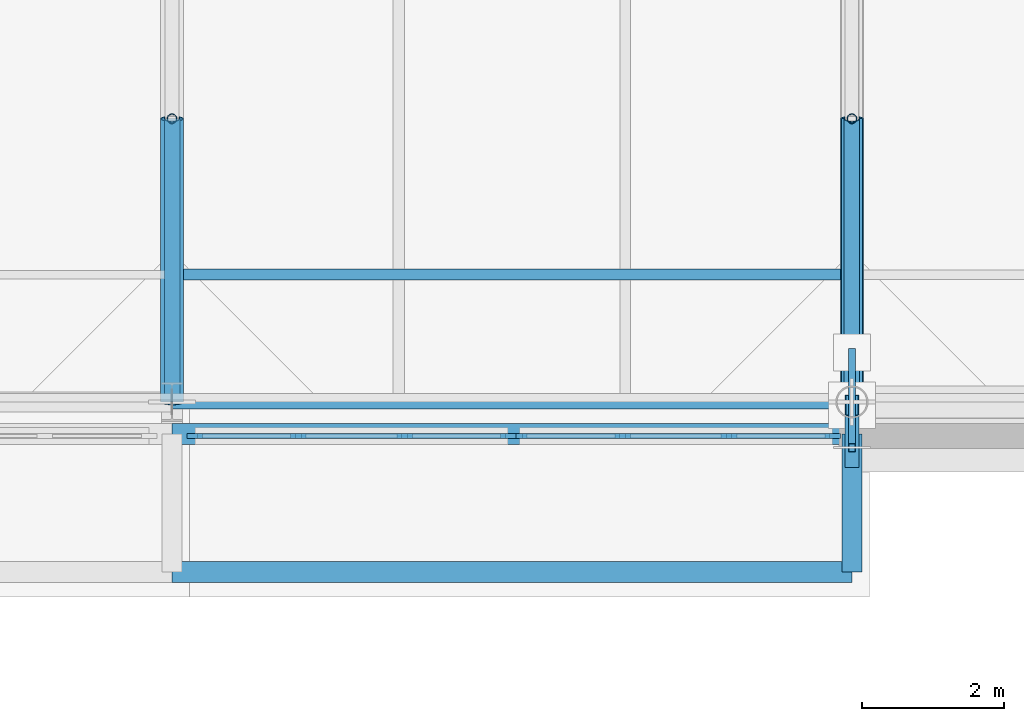
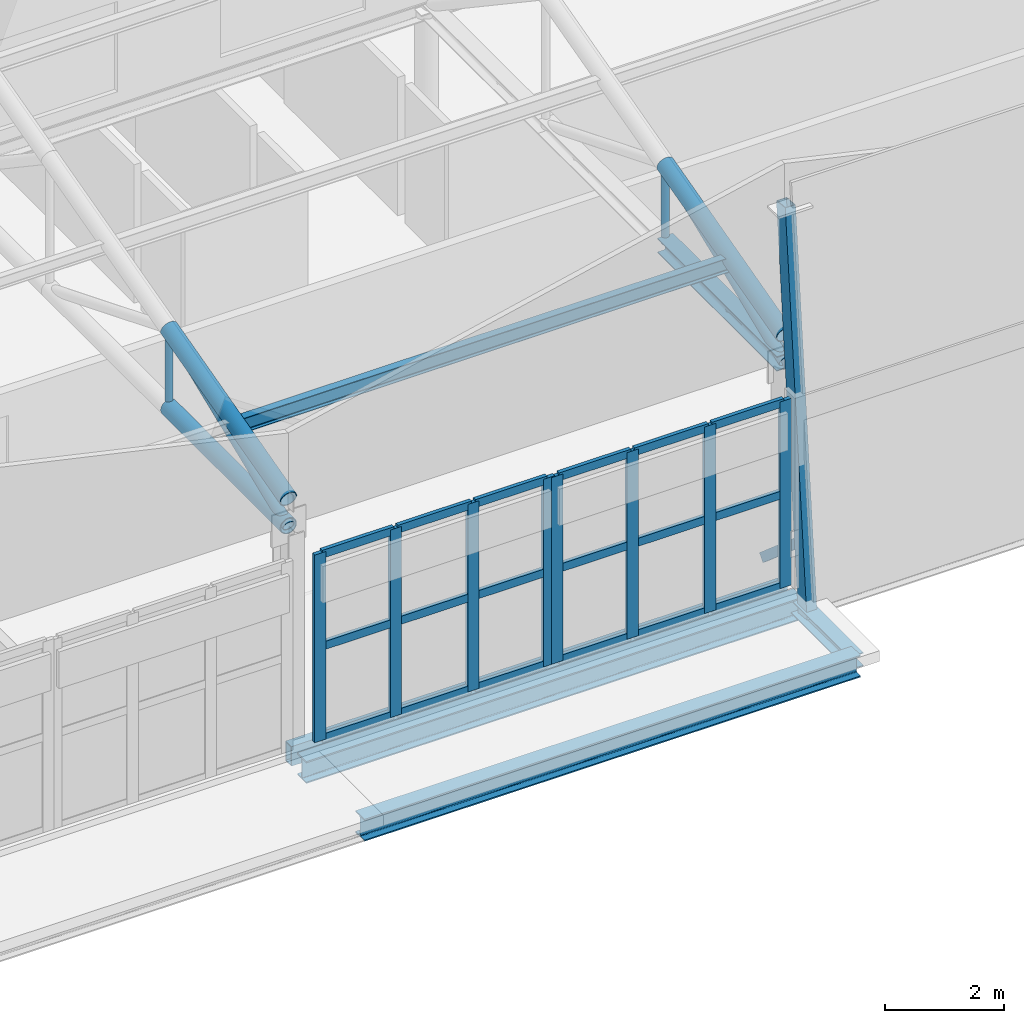
# One storey, part 22 of 89: 37 members, 4 beams, 2 elements without a shape of their own.
"""IFC4 building model written with IfcOpenShell, lengths in metres."""

from ifc_helpers import new_model, si_unit, direction, frame, origin, origin_2d, place, context, subcontext, project, spatial, rectangle, hollow_rectangle, hollow_circle, i_section, extrude, material, layer, layer_set, material_profile, profile_set, type_object, element, aggregate, save


model = new_model("IFC4")

# Units and contexts
model_context = context("Model", 3, precision=1e-05, world=origin(), true_north=direction((0.0, 1.0)))
body_context = subcontext(model_context, "Body", "Model", "MODEL_VIEW")
ifc_project = project(units=[si_unit("LENGTHUNIT", "METRE"), si_unit("AREAUNIT", "SQUARE_METRE"), si_unit("VOLUMEUNIT", "CUBIC_METRE"), si_unit("PLANEANGLEUNIT", "RADIAN"), si_unit("MASSUNIT", "GRAM", prefix="KILO")], contexts=[model_context])

# Site, building, storey
site_placement = place(None, origin())
site = spatial("IfcSite", under=ifc_project, at=site_placement, CompositionType="ELEMENT")
building_placement = place(site_placement, origin())
building = spatial("IfcBuilding", under=site, at=building_placement, Name="Zereglee Splitstone Museum", CompositionType="ELEMENT")
storey_placement = place(building_placement, frame((0.0, 0.0, 21.300048828125)))
storey = spatial("IfcBuildingStorey", under=building, at=storey_placement, Name="L04", CompositionType="ELEMENT", Elevation=21.300048828125)

# Members
ifc_material_1 = material(Name="Steel S355J2H", Category="steel")
ifc_material_profile_1 = material_profile(ifc_material_1, hollow_circle(Radius=0.109619140625, WallThickness=0.010009765625, at=origin_2d()), Name="CHS 219.1x10")
ifc_profile_set_1 = profile_set([ifc_material_profile_1], Name="Steel S355J2H")
member_type_1 = type_object("IfcMemberType", Name="TB-03", PredefinedType="BRACE", material=ifc_profile_set_1)
for number, where, z_axis, x_axis, name in (
    (1, (116.39990234375, 9.60009765625, 4.199951171875), (0.0, 0.927136001435, 0.374725012299), (-1.0, 0.0, 0.0), "Roof Truss ST-05 Diagonal 1.1"),
    (2, (126.0, 9.60009765625, 4.199951171875), (0.0, 0.927136001435, 0.374725012299), (-1.0, 0.0, 0.0), "Roof Truss ST-06 Diagonal 1.1"),
):
    element("IfcMember", number, at=place(storey_placement, frame(where, z_axis=z_axis, x_axis=x_axis)), inside=storey, type_object=member_type_1, Name=name, PredefinedType="BRACE", context=body_context, shape_type="SweptSolid", body=[
        extrude(hollow_circle(Radius=0.109619140625, WallThickness=0.010009765625, at=origin_2d()), origin(), (0.0, 0.0, 1.0), 4.314453125),
    ])

# Curtain wall, members
ifc_material_2 = material(Name="Triple-glazed low-E argon glass and bronze-anodised aluminium", Category="aluminium")
ifc_layer_1 = layer(ifc_material_2, 0.219970703125)
ifc_layer_set_1 = layer_set([ifc_layer_1], Name="Triple-glazed low-E argon glass and bronze-anodised aluminium")
curtain_wall_type_1 = type_object("IfcCurtainWallType", Name="CW-0450-384", PredefinedType="USERDEFINED", material=ifc_layer_set_1)
curtain_wall_1_placement = place(storey_placement, origin())
curtain_wall_1 = element("IfcCurtainWall", 3, at=curtain_wall_1_placement, inside=storey, type_object=curtain_wall_type_1, Name="Glazed Curtain Wall CW-0450-384 (L04)", ObjectType="GLAZED CURTAIN WALL", PredefinedType="USERDEFINED")
ifc_material_3 = material(Name="Thermally broken bronze-anodised aluminium", Category="aluminium")
ifc_material_profile_2 = material_profile(ifc_material_3, rectangle(XDim=0.074951171875, YDim=0.219970703125, at=origin_2d()), Name="CW MULL 75x220")
ifc_profile_set_2 = profile_set([ifc_material_profile_2], Name="Thermally broken bronze-anodised aluminium")
member_type_2 = type_object("IfcMemberType", Name="CWM-02", PredefinedType="MULLION", material=ifc_profile_set_2)
member_1_placement = place(storey_placement, frame((116.720458984375, 9.1201171875, 0.0), z_axis=(0.0, 0.0, 1.0), x_axis=(0.0, 1.0, 0.0)))
member_1 = element("IfcMember", 4, at=member_1_placement, type_object=member_type_2, Name="CW-0450-384 mullion 1", PredefinedType="MULLION", context=body_context, shape_type="SweptSolid", body=[
    extrude(rectangle(XDim=0.074951171875, YDim=0.219970703125, at=origin_2d()), origin(), (0.0, 0.0, 1.0), 3.83984375),
])
member_2_placement = place(storey_placement, frame((118.18310546875, 9.1201171875, 0.0), z_axis=(0.0, 0.0, 1.0), x_axis=(0.0, 1.0, 0.0)))
member_2 = element("IfcMember", 5, at=member_2_placement, type_object=member_type_2, Name="CW-0450-384 mullion 2", PredefinedType="MULLION", context=body_context, shape_type="SweptSolid", body=[
    extrude(rectangle(XDim=0.074951171875, YDim=0.219970703125, at=origin_2d()), origin(), (0.0, 0.0, 1.0), 3.83984375),
])
member_3_placement = place(storey_placement, frame((119.68310546875, 9.1201171875, 0.0), z_axis=(0.0, 0.0, 1.0), x_axis=(0.0, 1.0, 0.0)))
member_3 = element("IfcMember", 6, at=member_3_placement, type_object=member_type_2, Name="CW-0450-384 mullion 3", PredefinedType="MULLION", context=body_context, shape_type="SweptSolid", body=[
    extrude(rectangle(XDim=0.074951171875, YDim=0.219970703125, at=origin_2d()), origin(), (0.0, 0.0, 1.0), 3.83984375),
])
member_4_placement = place(storey_placement, frame((121.145751953125, 9.1201171875, 0.0), z_axis=(0.0, 0.0, 1.0), x_axis=(0.0, 1.0, 0.0)))
member_4 = element("IfcMember", 7, at=member_4_placement, type_object=member_type_2, Name="CW-0450-384 mullion 4", PredefinedType="MULLION", context=body_context, shape_type="SweptSolid", body=[
    extrude(rectangle(XDim=0.074951171875, YDim=0.219970703125, at=origin_2d()), origin(), (0.0, 0.0, 1.0), 3.83984375),
])

ifc_layer_2 = layer(ifc_material_2, 0.219970703125)
ifc_layer_set_2 = layer_set([ifc_layer_2], Name="Triple-glazed low-E argon glass and bronze-anodised aluminium")
curtain_wall_type_2 = type_object("IfcCurtainWallType", Name="CW-0450-382", PredefinedType="USERDEFINED", material=ifc_layer_set_2)
curtain_wall_2_placement = place(storey_placement, origin())
curtain_wall_2 = element("IfcCurtainWall", 8, at=curtain_wall_2_placement, inside=storey, type_object=curtain_wall_type_2, Name="Glazed Curtain Wall CW-0450-382 (L04)", ObjectType="GLAZED CURTAIN WALL", PredefinedType="USERDEFINED")
member_5_placement = place(storey_placement, frame((121.30078125, 9.1201171875, 0.0), z_axis=(0.0, 0.0, 1.0), x_axis=(0.0, 1.0, 0.0)))
member_5 = element("IfcMember", 9, at=member_5_placement, type_object=member_type_2, Name="CW-0450-382 mullion 1", PredefinedType="MULLION", context=body_context, shape_type="SweptSolid", body=[
    extrude(rectangle(XDim=0.074951171875, YDim=0.219970703125, at=origin_2d()), origin(), (0.0, 0.0, 1.0), 3.820068359375),
])
member_6_placement = place(storey_placement, frame((122.76318359375, 9.1201171875, 0.0), z_axis=(0.0, 0.0, 1.0), x_axis=(0.0, 1.0, 0.0)))
member_6 = element("IfcMember", 10, at=member_6_placement, type_object=member_type_2, Name="CW-0450-382 mullion 2", PredefinedType="MULLION", context=body_context, shape_type="SweptSolid", body=[
    extrude(rectangle(XDim=0.074951171875, YDim=0.219970703125, at=origin_2d()), origin(), (0.0, 0.0, 1.0), 3.820068359375),
])
member_7_placement = place(storey_placement, frame((124.263427734375, 9.1201171875, 0.0), z_axis=(0.0, 0.0, 1.0), x_axis=(0.0, 1.0, 0.0)))
member_7 = element("IfcMember", 11, at=member_7_placement, type_object=member_type_2, Name="CW-0450-382 mullion 3", PredefinedType="MULLION", context=body_context, shape_type="SweptSolid", body=[
    extrude(rectangle(XDim=0.074951171875, YDim=0.219970703125, at=origin_2d()), origin(), (0.0, 0.0, 1.0), 3.820068359375),
])
member_8_placement = place(storey_placement, frame((125.72607421875, 9.1201171875, 0.0), z_axis=(0.0, 0.0, 1.0), x_axis=(0.0, 1.0, 0.0)))
member_8 = element("IfcMember", 12, at=member_8_placement, type_object=member_type_2, Name="CW-0450-382 mullion 4", PredefinedType="MULLION", context=body_context, shape_type="SweptSolid", body=[
    extrude(rectangle(XDim=0.074951171875, YDim=0.219970703125, at=origin_2d()), origin(), (0.0, 0.0, 1.0), 3.820068359375),
])

# Member
ifc_material_profile_3 = material_profile(ifc_material_3, rectangle(XDim=0.074951171875, YDim=0.1650390625, at=origin_2d()), Name="CW TRAN 75x165")
ifc_profile_set_3 = profile_set([ifc_material_profile_3], Name="Thermally broken bronze-anodised aluminium")
member_type_3 = type_object("IfcMemberType", Name="CWT-02", PredefinedType="USERDEFINED", material=ifc_profile_set_3)
member_9_placement = place(storey_placement, frame((116.758056640625, 9.1201171875, 0.037353515625), z_axis=(1.0, 0.0, 0.0), x_axis=(0.0, 1.0, 0.0)))
member_9 = element("IfcMember", 13, at=member_9_placement, type_object=member_type_3, Name="CW-0450-384 transom 1.1", ObjectType="TRANSOM", PredefinedType="USERDEFINED", context=body_context, shape_type="SweptSolid", body=[
    extrude(rectangle(XDim=0.074951171875, YDim=0.1650390625, at=origin_2d()), origin(), (0.0, 0.0, 1.0), 1.387451171875),
])

member_10_placement = place(storey_placement, frame((116.758056640625, 9.1201171875, 1.919921875), z_axis=(1.0, 0.0, 0.0), x_axis=(0.0, 1.0, 0.0)))
member_10 = element("IfcMember", 14, at=member_10_placement, type_object=member_type_3, Name="CW-0450-384 transom 1.2", ObjectType="TRANSOM", PredefinedType="USERDEFINED", context=body_context, shape_type="SweptSolid", body=[
    extrude(rectangle(XDim=0.074951171875, YDim=0.1650390625, at=origin_2d()), origin(), (0.0, 0.0, 1.0), 1.387451171875),
])

member_11_placement = place(storey_placement, frame((116.758056640625, 9.1201171875, 3.802490234375), z_axis=(1.0, 0.0, 0.0), x_axis=(0.0, 1.0, 0.0)))
member_11 = element("IfcMember", 15, at=member_11_placement, type_object=member_type_3, Name="CW-0450-384 transom 1.3", ObjectType="TRANSOM", PredefinedType="USERDEFINED", context=body_context, shape_type="SweptSolid", body=[
    extrude(rectangle(XDim=0.074951171875, YDim=0.1650390625, at=origin_2d()), origin(), (0.0, 0.0, 1.0), 1.387451171875),
])

member_12_placement = place(storey_placement, frame((118.220703125, 9.1201171875, 0.037353515625), z_axis=(1.0, 0.0, 0.0), x_axis=(0.0, 1.0, 0.0)))
member_12 = element("IfcMember", 16, at=member_12_placement, type_object=member_type_3, Name="CW-0450-384 transom 2.1", ObjectType="TRANSOM", PredefinedType="USERDEFINED", context=body_context, shape_type="SweptSolid", body=[
    extrude(rectangle(XDim=0.074951171875, YDim=0.1650390625, at=origin_2d()), origin(), (0.0, 0.0, 1.0), 1.425048828125),
])

member_13_placement = place(storey_placement, frame((118.220703125, 9.1201171875, 1.919921875), z_axis=(1.0, 0.0, 0.0), x_axis=(0.0, 1.0, 0.0)))
member_13 = element("IfcMember", 17, at=member_13_placement, type_object=member_type_3, Name="CW-0450-384 transom 2.2", ObjectType="TRANSOM", PredefinedType="USERDEFINED", context=body_context, shape_type="SweptSolid", body=[
    extrude(rectangle(XDim=0.074951171875, YDim=0.1650390625, at=origin_2d()), origin(), (0.0, 0.0, 1.0), 1.425048828125),
])

member_14_placement = place(storey_placement, frame((118.220703125, 9.1201171875, 3.802490234375), z_axis=(1.0, 0.0, 0.0), x_axis=(0.0, 1.0, 0.0)))
member_14 = element("IfcMember", 18, at=member_14_placement, type_object=member_type_3, Name="CW-0450-384 transom 2.3", ObjectType="TRANSOM", PredefinedType="USERDEFINED", context=body_context, shape_type="SweptSolid", body=[
    extrude(rectangle(XDim=0.074951171875, YDim=0.1650390625, at=origin_2d()), origin(), (0.0, 0.0, 1.0), 1.425048828125),
])

member_15_placement = place(storey_placement, frame((119.720703125, 9.1201171875, 0.037353515625), z_axis=(1.0, 0.0, 0.0), x_axis=(0.0, 1.0, 0.0)))
member_15 = element("IfcMember", 19, at=member_15_placement, type_object=member_type_3, Name="CW-0450-384 transom 3.1", ObjectType="TRANSOM", PredefinedType="USERDEFINED", context=body_context, shape_type="SweptSolid", body=[
    extrude(rectangle(XDim=0.074951171875, YDim=0.1650390625, at=origin_2d()), origin(), (0.0, 0.0, 1.0), 1.3876953125),
])

member_16_placement = place(storey_placement, frame((119.720703125, 9.1201171875, 1.919921875), z_axis=(1.0, 0.0, 0.0), x_axis=(0.0, 1.0, 0.0)))
member_16 = element("IfcMember", 20, at=member_16_placement, type_object=member_type_3, Name="CW-0450-384 transom 3.2", ObjectType="TRANSOM", PredefinedType="USERDEFINED", context=body_context, shape_type="SweptSolid", body=[
    extrude(rectangle(XDim=0.074951171875, YDim=0.1650390625, at=origin_2d()), origin(), (0.0, 0.0, 1.0), 1.3876953125),
])

member_17_placement = place(storey_placement, frame((119.720703125, 9.1201171875, 3.802490234375), z_axis=(1.0, 0.0, 0.0), x_axis=(0.0, 1.0, 0.0)))
member_17 = element("IfcMember", 21, at=member_17_placement, type_object=member_type_3, Name="CW-0450-384 transom 3.3", ObjectType="TRANSOM", PredefinedType="USERDEFINED", context=body_context, shape_type="SweptSolid", body=[
    extrude(rectangle(XDim=0.074951171875, YDim=0.1650390625, at=origin_2d()), origin(), (0.0, 0.0, 1.0), 1.3876953125),
])

aggregate(curtain_wall_1, [member_1, member_2, member_3, member_4, member_9, member_10, member_11, member_12, member_13, member_14, member_15, member_16, member_17])

member_18_placement = place(storey_placement, frame((121.338134765625, 9.1201171875, 0.037353515625), z_axis=(1.0, 0.0, 0.0), x_axis=(0.0, 1.0, 0.0)))
member_18 = element("IfcMember", 22, at=member_18_placement, type_object=member_type_3, Name="CW-0450-382 transom 1.1", ObjectType="TRANSOM", PredefinedType="USERDEFINED", context=body_context, shape_type="SweptSolid", body=[
    extrude(rectangle(XDim=0.074951171875, YDim=0.1650390625, at=origin_2d()), origin(), (0.0, 0.0, 1.0), 1.3876953125),
])

member_19_placement = place(storey_placement, frame((121.338134765625, 9.1201171875, 1.909912109375), z_axis=(1.0, 0.0, 0.0), x_axis=(0.0, 1.0, 0.0)))
member_19 = element("IfcMember", 23, at=member_19_placement, type_object=member_type_3, Name="CW-0450-382 transom 1.2", ObjectType="TRANSOM", PredefinedType="USERDEFINED", context=body_context, shape_type="SweptSolid", body=[
    extrude(rectangle(XDim=0.074951171875, YDim=0.1650390625, at=origin_2d()), origin(), (0.0, 0.0, 1.0), 1.3876953125),
])

member_20_placement = place(storey_placement, frame((121.338134765625, 9.1201171875, 3.782470703125), z_axis=(1.0, 0.0, 0.0), x_axis=(0.0, 1.0, 0.0)))
member_20 = element("IfcMember", 24, at=member_20_placement, type_object=member_type_3, Name="CW-0450-382 transom 1.3", ObjectType="TRANSOM", PredefinedType="USERDEFINED", context=body_context, shape_type="SweptSolid", body=[
    extrude(rectangle(XDim=0.074951171875, YDim=0.1650390625, at=origin_2d()), origin(), (0.0, 0.0, 1.0), 1.3876953125),
])

member_21_placement = place(storey_placement, frame((122.80078125, 9.1201171875, 0.037353515625), z_axis=(1.0, 0.0, 0.0), x_axis=(0.0, 1.0, 0.0)))
member_21 = element("IfcMember", 25, at=member_21_placement, type_object=member_type_3, Name="CW-0450-382 transom 2.1", ObjectType="TRANSOM", PredefinedType="USERDEFINED", context=body_context, shape_type="SweptSolid", body=[
    extrude(rectangle(XDim=0.074951171875, YDim=0.1650390625, at=origin_2d()), origin(), (0.0, 0.0, 1.0), 1.425048828125),
])

member_22_placement = place(storey_placement, frame((122.80078125, 9.1201171875, 1.909912109375), z_axis=(1.0, 0.0, 0.0), x_axis=(0.0, 1.0, 0.0)))
member_22 = element("IfcMember", 26, at=member_22_placement, type_object=member_type_3, Name="CW-0450-382 transom 2.2", ObjectType="TRANSOM", PredefinedType="USERDEFINED", context=body_context, shape_type="SweptSolid", body=[
    extrude(rectangle(XDim=0.074951171875, YDim=0.1650390625, at=origin_2d()), origin(), (0.0, 0.0, 1.0), 1.425048828125),
])

member_23_placement = place(storey_placement, frame((122.80078125, 9.1201171875, 3.782470703125), z_axis=(1.0, 0.0, 0.0), x_axis=(0.0, 1.0, 0.0)))
member_23 = element("IfcMember", 27, at=member_23_placement, type_object=member_type_3, Name="CW-0450-382 transom 2.3", ObjectType="TRANSOM", PredefinedType="USERDEFINED", context=body_context, shape_type="SweptSolid", body=[
    extrude(rectangle(XDim=0.074951171875, YDim=0.1650390625, at=origin_2d()), origin(), (0.0, 0.0, 1.0), 1.425048828125),
])

member_24_placement = place(storey_placement, frame((124.30078125, 9.1201171875, 0.037353515625), z_axis=(1.0, 0.0, 0.0), x_axis=(0.0, 1.0, 0.0)))
member_24 = element("IfcMember", 28, at=member_24_placement, type_object=member_type_3, Name="CW-0450-382 transom 3.1", ObjectType="TRANSOM", PredefinedType="USERDEFINED", context=body_context, shape_type="SweptSolid", body=[
    extrude(rectangle(XDim=0.074951171875, YDim=0.1650390625, at=origin_2d()), origin(), (0.0, 0.0, 1.0), 1.3876953125),
])

member_25_placement = place(storey_placement, frame((124.30078125, 9.1201171875, 1.909912109375), z_axis=(1.0, 0.0, 0.0), x_axis=(0.0, 1.0, 0.0)))
member_25 = element("IfcMember", 29, at=member_25_placement, type_object=member_type_3, Name="CW-0450-382 transom 3.2", ObjectType="TRANSOM", PredefinedType="USERDEFINED", context=body_context, shape_type="SweptSolid", body=[
    extrude(rectangle(XDim=0.074951171875, YDim=0.1650390625, at=origin_2d()), origin(), (0.0, 0.0, 1.0), 1.3876953125),
])

member_26_placement = place(storey_placement, frame((124.30078125, 9.1201171875, 3.782470703125), z_axis=(1.0, 0.0, 0.0), x_axis=(0.0, 1.0, 0.0)))
member_26 = element("IfcMember", 30, at=member_26_placement, type_object=member_type_3, Name="CW-0450-382 transom 3.3", ObjectType="TRANSOM", PredefinedType="USERDEFINED", context=body_context, shape_type="SweptSolid", body=[
    extrude(rectangle(XDim=0.074951171875, YDim=0.1650390625, at=origin_2d()), origin(), (0.0, 0.0, 1.0), 1.3876953125),
])

aggregate(curtain_wall_2, [member_5, member_6, member_7, member_8, member_18, member_19, member_20, member_21, member_22, member_23, member_24, member_25, member_26])

# Members
ifc_material_profile_4 = material_profile(ifc_material_1, hollow_circle(Radius=0.161865234375, WallThickness=0.01611328125, at=origin_2d()), Name="CHS 323.9x16")
ifc_profile_set_4 = profile_set([ifc_material_profile_4], Name="Steel S355J2H")
member_type_4 = type_object("IfcMemberType", Name="TC-05", PredefinedType="CHORD", material=ifc_profile_set_4)
member_27_placement = place(storey_placement, frame((116.39990234375, 9.60009765625, 4.199951171875), z_axis=(0.0, 1.0, 0.0), x_axis=(-1.0, 0.0, 0.0)))
element("IfcMember", 31, at=member_27_placement, inside=storey, type_object=member_type_4, Name="Roof Truss ST-05 Bottom Chord 1.1", PredefinedType="CHORD", context=body_context, shape_type="SweptSolid", body=[
    extrude(hollow_circle(Radius=0.161865234375, WallThickness=0.01611328125, at=origin_2d()), origin(), (0.0, 0.0, 1.0), 4.0),
])
for number, where, z_axis, x_axis, name in (
    (32, (116.39990234375, 9.60009765625, 4.75), (0.0, 0.966235918422, 0.257658979955), (-1.0, 0.0, 0.0), "Roof Truss ST-05 Top Chord 1.1"),
    (33, (126.0, 9.60009765625, 4.75), (0.0, 0.966235918422, 0.257658979955), (-1.0, 0.0, 0.0), "Roof Truss ST-06 Top Chord 1.1"),
):
    element("IfcMember", number, at=place(storey_placement, frame(where, z_axis=z_axis, x_axis=x_axis)), inside=storey, type_object=member_type_4, Name=name, PredefinedType="CHORD", context=body_context, shape_type="SweptSolid", body=[
        extrude(hollow_circle(Radius=0.161865234375, WallThickness=0.01611328125, at=origin_2d()), origin(), (0.0, 0.0, 1.0), 4.139892578125),
    ])
ifc_material_4 = material(Name="Steel S355J2", Category="steel")
ifc_material_profile_5 = material_profile(ifc_material_4, i_section(OverallWidth=0.300048828125, OverallDepth=0.300048828125, WebThickness=0.010986328125, FlangeThickness=0.01904296875, FilletRadius=0.027099609375, at=origin_2d()), Name="HE 300 B")
ifc_profile_set_5 = profile_set([ifc_material_profile_5], Name="Steel S355J2")
member_type_5 = type_object("IfcMemberType", Name="TC-07", PredefinedType="CHORD", material=ifc_profile_set_5)
member_28_placement = place(storey_placement, frame((126.0, 9.60009765625, 4.199951171875), z_axis=(0.0, 1.0, 0.0), x_axis=(-1.0, 0.0, 0.0)))
element("IfcMember", 34, at=member_28_placement, inside=storey, type_object=member_type_5, Name="Roof Truss ST-06 Bottom Chord 1.1", PredefinedType="CHORD", context=body_context, shape_type="SweptSolid", body=[
    extrude(i_section(OverallWidth=0.300048828125, OverallDepth=0.300048828125, WebThickness=0.010986328125, FlangeThickness=0.01904296875, FilletRadius=0.027099609375, at=origin_2d()), origin(), (0.0, 0.0, 1.0), 4.0),
])
ifc_material_profile_6 = material_profile(ifc_material_1, hollow_circle(Radius=0.06982421875, WallThickness=0.008056640625, at=origin_2d()), Name="CHS 139.7x8")
ifc_profile_set_6 = profile_set([ifc_material_profile_6], Name="Steel S355J2H")
member_type_6 = type_object("IfcMemberType", Name="TP-03", PredefinedType="POST", material=ifc_profile_set_6)
for number, where, z_axis, x_axis, name in (
    (35, (116.39990234375, 13.60009765625, 4.199951171875), (0.0, 0.0, 1.0), (1.0, 0.0, 0.0), "Roof Truss ST-05 Post 1.1"),
    (36, (126.0, 13.60009765625, 4.199951171875), (0.0, 0.0, 1.0), (1.0, 0.0, 0.0), "Roof Truss ST-06 Post 1.1"),
):
    element("IfcMember", number, at=place(storey_placement, frame(where, z_axis=z_axis, x_axis=x_axis)), inside=storey, type_object=member_type_6, Name=name, PredefinedType="POST", context=body_context, shape_type="SweptSolid", body=[
        extrude(hollow_circle(Radius=0.06982421875, WallThickness=0.008056640625, at=origin_2d()), origin(), (0.0, 0.0, 1.0), 1.61669921875),
    ])
ifc_material_profile_7 = material_profile(ifc_material_4, i_section(OverallWidth=0.14990234375, OverallDepth=0.300048828125, WebThickness=0.007080078125, FlangeThickness=0.0107421875, FilletRadius=0.014892578125, at=origin_2d()), Name="IPE 300")
ifc_profile_set_7 = profile_set([ifc_material_profile_7], Name="Steel S355J2")
member_type_7 = type_object("IfcMemberType", Name="PR-01", PredefinedType="PURLIN", material=ifc_profile_set_7)
member_29_placement = place(storey_placement, frame((116.39990234375, 11.39990234375, 5.153076171875), z_axis=(1.0, 0.0, 0.0), x_axis=(0.0, 1.0, 0.0)))
element("IfcMember", 37, at=member_29_placement, inside=storey, type_object=member_type_7, Name="Sawtooth Roof Purlin B5-S1-1", PredefinedType="PURLIN", context=body_context, shape_type="SweptSolid", body=[
    extrude(i_section(OverallWidth=0.14990234375, OverallDepth=0.300048828125, WebThickness=0.007080078125, FlangeThickness=0.0107421875, FilletRadius=0.014892578125, at=origin_2d()), origin(), (0.0, 0.0, 1.0), 9.60009765625),
])

# Beams
ifc_material_profile_8 = material_profile(ifc_material_4, i_section(OverallWidth=0.280029296875, OverallDepth=0.280029296875, WebThickness=0.010498046875, FlangeThickness=0.01806640625, FilletRadius=0.02392578125, at=origin_2d()), Name="HE 280 B")
ifc_profile_set_8 = profile_set([ifc_material_profile_8], Name="Steel S355J2")
beam_type_1 = type_object("IfcBeamType", Name="SP-03", PredefinedType="SPANDREL", material=ifc_profile_set_8)
beam_1_placement = place(storey_placement, frame((126.0, 7.199951171875, -0.485107421875), z_axis=(0.0, 1.0, 0.0), x_axis=(-1.0, 0.0, 0.0)))
element("IfcBeam", 38, at=beam_1_placement, inside=storey, type_object=beam_type_1, Name="Pishtaq Return Tie Beam PSQ-ATRS-3 (126.0)", PredefinedType="SPANDREL", context=body_context, shape_type="SweptSolid", body=[
    extrude(i_section(OverallWidth=0.280029296875, OverallDepth=0.280029296875, WebThickness=0.010498046875, FlangeThickness=0.01806640625, FilletRadius=0.02392578125, at=origin_2d()), origin(), (0.0, 0.0, 1.0), 1.949951171875),
])
ifc_material_profile_9 = material_profile(ifc_material_4, i_section(OverallWidth=0.300048828125, OverallDepth=0.449951171875, WebThickness=0.013916015625, FlangeThickness=0.02587890625, FilletRadius=0.027099609375, at=origin_2d()), Name="HE 450 B")
ifc_profile_set_9 = profile_set([ifc_material_profile_9], Name="Steel S355J2")
beam_type_2 = type_object("IfcBeamType", Name="SP-02", PredefinedType="SPANDREL", material=ifc_profile_set_9)
for number, where, z_axis, x_axis, name in (
    (39, (116.39990234375, 9.14990234375, -0.485107421875), (1.0, 0.0, 0.0), (0.0, 1.0, 0.0), "Hovering Soffit Spandrel L04 (116.4-126.0)"),
    (40, (116.39990234375, 7.199951171875, -0.485107421875), (1.0, 0.0, 0.0), (0.0, 1.0, 0.0), "Mughal Pishtaq Cornice Header Beam PSQ-ATRS-3"),
):
    element("IfcBeam", number, at=place(storey_placement, frame(where, z_axis=z_axis, x_axis=x_axis)), inside=storey, type_object=beam_type_2, Name=name, PredefinedType="SPANDREL", context=body_context, shape_type="SweptSolid", body=[
        extrude(i_section(OverallWidth=0.300048828125, OverallDepth=0.449951171875, WebThickness=0.013916015625, FlangeThickness=0.02587890625, FilletRadius=0.027099609375, at=origin_2d()), origin(), (0.0, 0.0, 1.0), 9.60009765625),
    ])
ifc_material_profile_10 = material_profile(ifc_material_1, hollow_rectangle(XDim=0.199951171875, YDim=0.39990234375, WallThickness=0.01611328125, at=origin_2d()), Name="RHS 400x200x16")
ifc_profile_set_10 = profile_set([ifc_material_profile_10], Name="Steel S355J2H")
beam_type_3 = type_object("IfcBeamType", Name="SP-04", PredefinedType="SPANDREL", material=ifc_profile_set_10)
beam_2_placement = place(storey_placement, frame((116.39990234375, 9.60009765625, -0.4599609375), z_axis=(1.0, 0.0, 0.0), x_axis=(0.0, 1.0, 0.0)))
element("IfcBeam", 41, at=beam_2_placement, inside=storey, type_object=beam_type_3, Name="Primary Girder L04 B (116.4-126.0)", PredefinedType="SPANDREL", context=body_context, shape_type="SweptSolid", body=[
    extrude(hollow_rectangle(XDim=0.199951171875, YDim=0.39990234375, WallThickness=0.01611328125, at=origin_2d()), origin(), (0.0, 0.0, 1.0), 9.60009765625),
])

# Members
ifc_material_profile_11 = material_profile(ifc_material_1, hollow_rectangle(XDim=0.199951171875, YDim=0.300048828125, WallThickness=0.012451171875, at=origin_2d()), Name="RHS 300x200x12.5")
ifc_profile_set_11 = profile_set([ifc_material_profile_11], Name="Steel S355J2H")
member_type_8 = type_object("IfcMemberType", Name="FS-R1", PredefinedType="STRUT", material=ifc_profile_set_11)
member_30_placement = place(storey_placement, frame((126.0, 8.8232421875, -0.510009765625), z_axis=(0.0, 0.090892411904, 0.995860717901), x_axis=(-1.0, 0.0, 0.0)))
element("IfcMember", 42, at=member_30_placement, inside=storey, type_object=member_type_8, Name="Split-Rock Continuous Facet Strut FH-V2SE L04-01", PredefinedType="STRUT", context=body_context, shape_type="SweptSolid", body=[
    extrude(hollow_rectangle(XDim=0.199951171875, YDim=0.300048828125, WallThickness=0.012451171875, at=origin_2d()), origin(), (0.0, 0.0, 1.0), 8.023193359375),
])
ifc_material_profile_12 = material_profile(ifc_material_1, hollow_rectangle(XDim=0.10009765625, YDim=0.179931640625, WallThickness=0.008056640625, at=origin_2d()), Name="RHS 180x100x8")
ifc_profile_set_12 = profile_set([ifc_material_profile_12], Name="Steel S355J2H")
member_type_9 = type_object("IfcMemberType", Name="FS-T2", PredefinedType="STRUT", material=ifc_profile_set_12)
member_31_placement = place(storey_placement, frame((126.0, 10.300048828125, -0.219970703125), z_axis=(0.0, -0.757166062891, 0.65322243777), x_axis=(1.0, 0.0, 0.0)))
element("IfcMember", 43, at=member_31_placement, inside=storey, type_object=member_type_9, Name="Facet Tie-Back Strut FH-V2SE L04-01", PredefinedType="STRUT", context=body_context, shape_type="SweptSolid", body=[
    extrude(hollow_rectangle(XDim=0.10009765625, YDim=0.179931640625, WallThickness=0.008056640625, at=origin_2d()), origin(), (0.0, 0.0, 1.0), 1.775634765625),
])

save(model, "model.ifc")
